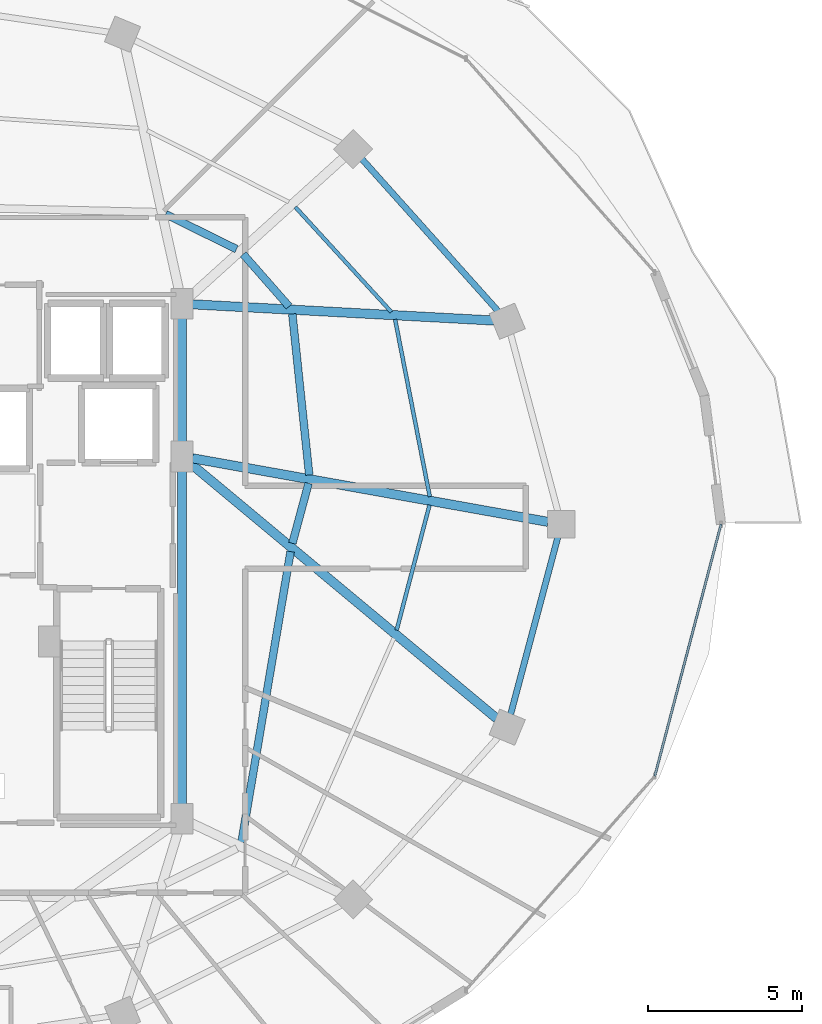
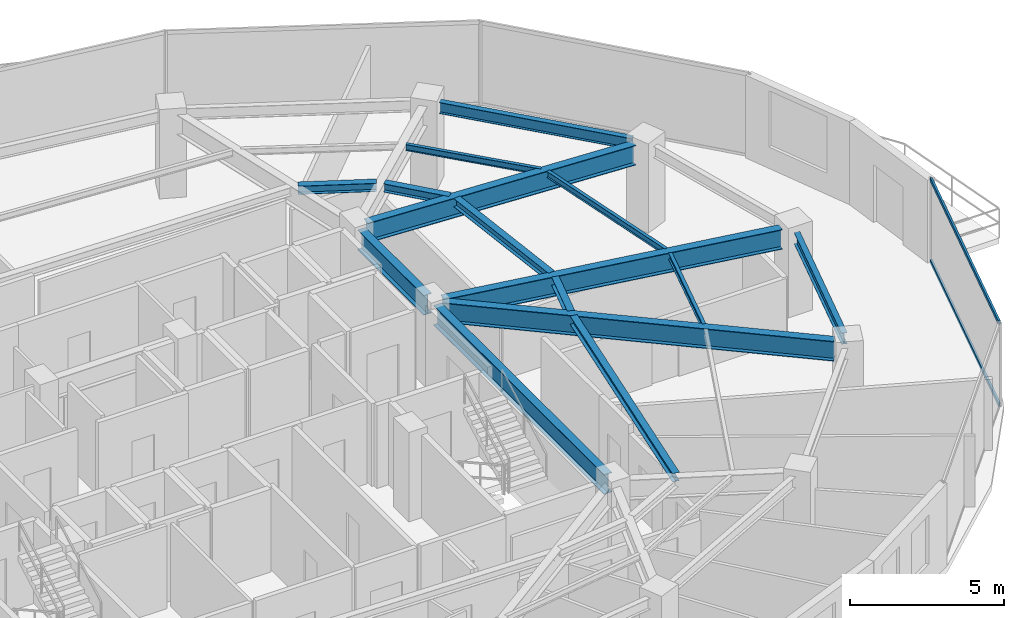
# One storey, part 14 of 33: 15 beams, 2 members, 1 element without a shape of its own.
"""IFC4 building model written with IfcOpenShell, lengths in metres."""

from ifc_helpers import new_model, si_unit, direction, frame, origin, origin_2d, place, context, subcontext, project, spatial, hollow_rectangle, i_section, extrude, material, material_profile, profile_set, type_object, element, aggregate, save


model = new_model("IFC4")

# Units and contexts
model_context = context("Model", 3, precision=1e-05, world=origin(), true_north=direction((0.0, 1.0)))
body_context = subcontext(model_context, "Body", "Model", "MODEL_VIEW")
ifc_project = project(units=[si_unit("LENGTHUNIT", "METRE"), si_unit("AREAUNIT", "SQUARE_METRE"), si_unit("VOLUMEUNIT", "CUBIC_METRE"), si_unit("PLANEANGLEUNIT", "RADIAN"), si_unit("MASSUNIT", "GRAM", prefix="KILO")], contexts=[model_context])

# Site, building, storey
site_placement = place(None, origin())
site = spatial("IfcSite", under=ifc_project, at=site_placement, CompositionType="ELEMENT")
building_placement = place(site_placement, origin())
building = spatial("IfcBuilding", under=site, at=building_placement, Name="Vorneva Point Tower", CompositionType="ELEMENT")
storey_placement = place(building_placement, frame((0.0, 0.0, 203.64990234375)))
storey = spatial("IfcBuildingStorey", under=building, at=storey_placement, Name="L55", CompositionType="ELEMENT", Elevation=203.64990234375)

# Beams
ifc_material_1 = material(Name="Steel S355", Category="steel")
ifc_material_profile_1 = material_profile(ifc_material_1, i_section(OverallWidth=0.300048828125, OverallDepth=0.7880859375, WebThickness=0.014404296875, FlangeThickness=0.02197265625, at=origin_2d()), Name="80Sh1")
ifc_profile_set_1 = profile_set([ifc_material_profile_1], Name="Steel S355")
beam_type_1 = type_object("IfcBeamType", Name="BM-GRD-80Sh1", PredefinedType="USERDEFINED", material=ifc_profile_set_1)
beam_1_placement = place(storey_placement, frame((60.618896484375, 26.0771484375, 2.89599609375), z_axis=(-0.984378602255, 0.176064668298, 0.0), x_axis=(-0.176064668298, -0.984378602255, 0.0)))
element("IfcBeam", 1, at=beam_1_placement, inside=storey, type_object=beam_type_1, Name="L55 Radial Primary Girder 01", ObjectType="GIRDER", PredefinedType="USERDEFINED", context=body_context, shape_type="SweptSolid", body=[
    extrude(i_section(OverallWidth=0.300048828125, OverallDepth=0.7880859375, WebThickness=0.014404296875, FlangeThickness=0.02197265625, at=origin_2d()), origin(), (0.0, 0.0, 1.0), 11.71728515625),
])
beam_2_placement = place(storey_placement, frame((58.85791015625, 32.605712890625, 2.89599609375), z_axis=(-0.998554028182, 0.053757351146, 0.0), x_axis=(-0.053757351146, -0.998554028182, 0.0)))
element("IfcBeam", 2, at=beam_2_placement, inside=storey, type_object=beam_type_1, Name="L55 Radial Primary Girder 02", ObjectType="GIRDER", PredefinedType="USERDEFINED", context=body_context, shape_type="SweptSolid", body=[
    extrude(i_section(OverallWidth=0.300048828125, OverallDepth=0.7880859375, WebThickness=0.014404296875, FlangeThickness=0.02197265625, at=origin_2d()), origin(), (0.0, 0.0, 1.0), 9.782470703125),
])
beam_3_placement = place(storey_placement, frame((58.958740234375, 19.697998046875, 2.89599609375), z_axis=(-0.768417564517, 0.639948784311, 0.0), x_axis=(-0.639948784311, -0.768417564517, 0.0)))
element("IfcBeam", 3, at=beam_3_placement, inside=storey, type_object=beam_type_1, Name="L55 Radial Primary Girder 16", ObjectType="GIRDER", PredefinedType="USERDEFINED", context=body_context, shape_type="SweptSolid", body=[
    extrude(i_section(OverallWidth=0.300048828125, OverallDepth=0.7880859375, WebThickness=0.014404296875, FlangeThickness=0.02197265625, at=origin_2d()), origin(), (0.0, 0.0, 1.0), 12.945556640625),
])
beam_4_placement = place(storey_placement, frame((48.75, 16.77001953125, 2.89599609375), z_axis=(0.0, 1.0, 0.0), x_axis=(-1.0, 0.0, 0.0)))
element("IfcBeam", 4, at=beam_4_placement, inside=storey, type_object=beam_type_1, Name="L55 Core Tie Girder CT3", ObjectType="GIRDER", PredefinedType="USERDEFINED", context=body_context, shape_type="SweptSolid", body=[
    extrude(i_section(OverallWidth=0.300048828125, OverallDepth=0.7880859375, WebThickness=0.014404296875, FlangeThickness=0.02197265625, at=origin_2d()), origin(), (0.0, 0.0, 1.0), 11.10986328125),
])
beam_5_placement = place(storey_placement, frame((48.75, 28.52001953125, 2.89599609375), z_axis=(0.0, 1.0, 0.0), x_axis=(-1.0, 0.0, 0.0)))
element("IfcBeam", 5, at=beam_5_placement, inside=storey, type_object=beam_type_1, Name="L55 Core Tie Girder CT4", ObjectType="GIRDER", PredefinedType="USERDEFINED", context=body_context, shape_type="SweptSolid", body=[
    extrude(i_section(OverallWidth=0.300048828125, OverallDepth=0.7880859375, WebThickness=0.014404296875, FlangeThickness=0.02197265625, at=origin_2d()), origin(), (0.0, 0.0, 1.0), 4.31005859375),
])
ifc_material_profile_2 = material_profile(ifc_material_1, i_section(OverallWidth=0.1240234375, OverallDepth=0.248046875, WebThickness=0.0048828125, FlangeThickness=0.008056640625, at=origin_2d()), Name="25B1")
ifc_profile_set_2 = profile_set([ifc_material_profile_2], Name="Steel S355")
beam_type_2 = type_object("IfcBeamType", Name="BM-JST-25B1", PredefinedType="JOIST", material=ifc_profile_set_2)
beam_6_placement = place(storey_placement, frame((56.785888671875, 26.893310546875, 3.166015625), z_axis=(-0.191995903464, 0.98139572704, 0.0), x_axis=(-0.98139572704, -0.191995903464, 0.0)))
element("IfcBeam", 6, at=beam_6_placement, inside=storey, type_object=beam_type_2, Name="L55 Secondary Floor Beam 1.01", PredefinedType="JOIST", context=body_context, shape_type="SweptSolid", body=[
    extrude(i_section(OverallWidth=0.1240234375, OverallDepth=0.248046875, WebThickness=0.0048828125, FlangeThickness=0.008056640625, at=origin_2d()), origin(), (0.0, 0.0, 1.0), 5.859619140625),
])
beam_7_placement = place(storey_placement, frame((55.541259765625, 32.881103515625, 3.166015625), z_axis=(-0.675087002203, 0.7377381239, 0.0), x_axis=(-0.7377381239, -0.675087002203, 0.0)))
element("IfcBeam", 7, at=beam_7_placement, inside=storey, type_object=beam_type_2, Name="L55 Secondary Floor Beam 1.02", PredefinedType="JOIST", context=body_context, shape_type="SweptSolid", body=[
    extrude(i_section(OverallWidth=0.1240234375, OverallDepth=0.248046875, WebThickness=0.0048828125, FlangeThickness=0.008056640625, at=origin_2d()), origin(), (0.0, 0.0, 1.0), 4.61376953125),
])
beam_8_placement = place(storey_placement, frame((55.711181640625, 22.5654296875, 3.166015625), z_axis=(0.254098126007, 0.967178443908, 0.0), x_axis=(-0.967178443908, 0.254098126007, 0.0)))
element("IfcBeam", 8, at=beam_8_placement, inside=storey, type_object=beam_type_2, Name="L55 Secondary Floor Beam 1.16", PredefinedType="JOIST", context=body_context, shape_type="SweptSolid", body=[
    extrude(i_section(OverallWidth=0.1240234375, OverallDepth=0.248046875, WebThickness=0.0048828125, FlangeThickness=0.008056640625, at=origin_2d()), origin(), (0.0, 0.0, 1.0), 4.19677734375),
])
ifc_material_profile_3 = material_profile(ifc_material_1, i_section(OverallWidth=0.2490234375, OverallDepth=0.333984375, WebThickness=0.008056640625, FlangeThickness=0.010986328125, at=origin_2d()), Name="35Sh1")
ifc_profile_set_3 = profile_set([ifc_material_profile_3], Name="Steel S355")
beam_type_3 = type_object("IfcBeamType", Name="BM-SEC-35Sh1", PredefinedType="BEAM", material=ifc_profile_set_3)
beam_9_placement = place(storey_placement, frame((52.87646484375, 27.5966796875, 3.123046875), z_axis=(-0.104527524284, 0.994521994059, 0.0), x_axis=(-0.994521994059, -0.104527524284, 0.0)))
element("IfcBeam", 9, at=beam_9_placement, inside=storey, type_object=beam_type_3, Name="L55 Secondary Floor Beam 2.01", PredefinedType="BEAM", context=body_context, shape_type="SweptSolid", body=[
    extrude(i_section(OverallWidth=0.2490234375, OverallDepth=0.333984375, WebThickness=0.008056640625, FlangeThickness=0.010986328125, at=origin_2d()), origin(), (0.0, 0.0, 1.0), 5.2529296875),
])
beam_10_placement = place(storey_placement, frame((52.221923828125, 33.061767578125, 3.123046875), z_axis=(-0.659883178199, 0.751368212749, 0.0), x_axis=(-0.751368212749, -0.659883178199, 0.0)))
element("IfcBeam", 10, at=beam_10_placement, inside=storey, type_object=beam_type_3, Name="L55 Secondary Floor Beam 2.02", PredefinedType="BEAM", context=body_context, shape_type="SweptSolid", body=[
    extrude(i_section(OverallWidth=0.2490234375, OverallDepth=0.333984375, WebThickness=0.008056640625, FlangeThickness=0.010986328125, at=origin_2d()), origin(), (0.0, 0.0, 1.0), 2.2548828125),
])
beam_11_placement = place(storey_placement, frame((50.51904296875, 34.9208984375, 3.123046875), z_axis=(-0.896926742139, 0.442179170965, 0.0), x_axis=(-0.442179170965, -0.896926742139, 0.0)))
element("IfcBeam", 11, at=beam_11_placement, inside=storey, type_object=beam_type_3, Name="L55 Secondary Floor Beam 2.03", PredefinedType="BEAM", context=body_context, shape_type="SweptSolid", body=[
    extrude(i_section(OverallWidth=0.2490234375, OverallDepth=0.333984375, WebThickness=0.008056640625, FlangeThickness=0.010986328125, at=origin_2d()), origin(), (0.0, 0.0, 1.0), 2.564208984375),
])
beam_12_placement = place(storey_placement, frame((50.679443359375, 15.688720703125, 3.123046875), z_axis=(0.166527814046, 0.986036757504, 0.0), x_axis=(-0.986036757504, 0.166527814046, 0.0)))
element("IfcBeam", 12, at=beam_12_placement, inside=storey, type_object=beam_type_3, Name="L55 Secondary Floor Beam 2.15", PredefinedType="BEAM", context=body_context, shape_type="SweptSolid", body=[
    extrude(i_section(OverallWidth=0.2490234375, OverallDepth=0.333984375, WebThickness=0.008056640625, FlangeThickness=0.010986328125, at=origin_2d()), origin(), (0.0, 0.0, 1.0), 9.557373046875),
])
beam_13_placement = place(storey_placement, frame((52.330078125, 25.3818359375, 3.123046875), z_axis=(0.260634215409, 0.96543762396, 0.0), x_axis=(-0.96543762396, 0.260634215409, 0.0)))
element("IfcBeam", 13, at=beam_13_placement, inside=storey, type_object=beam_type_3, Name="L55 Secondary Floor Beam 2.16", PredefinedType="BEAM", context=body_context, shape_type="SweptSolid", body=[
    extrude(i_section(OverallWidth=0.2490234375, OverallDepth=0.333984375, WebThickness=0.008056640625, FlangeThickness=0.010986328125, at=origin_2d()), origin(), (0.0, 0.0, 1.0), 2.013916015625),
])
ifc_material_profile_4 = material_profile(ifc_material_1, i_section(OverallWidth=0.198974609375, OverallDepth=0.446044921875, WebThickness=0.008056640625, FlangeThickness=0.011962890625, at=origin_2d()), Name="45B1")
ifc_profile_set_4 = profile_set([ifc_material_profile_4], Name="Steel S355")
beam_type_4 = type_object("IfcBeamType", Name="BM-SPN-45B1", PredefinedType="SPANDREL", material=ifc_profile_set_4)
beam_14_placement = place(storey_placement, frame((59.005126953125, 32.90625, 3.067138671875), z_axis=(-0.66706970547, 0.744995307397, 0.0), x_axis=(-0.744995307397, -0.66706970547, 0.0)))
element("IfcBeam", 14, at=beam_14_placement, inside=storey, type_object=beam_type_4, Name="L55 Perimeter Spandrel Ring Beam 02", PredefinedType="SPANDREL", context=body_context, shape_type="SweptSolid", body=[
    extrude(i_section(OverallWidth=0.198974609375, OverallDepth=0.446044921875, WebThickness=0.008056640625, FlangeThickness=0.011962890625, at=origin_2d()), origin(), (0.0, 0.0, 1.0), 6.6201171875),
])
beam_15_placement = place(storey_placement, frame((59.407470703125, 19.838134765625, 3.067138671875), z_axis=(0.257578258003, 0.966257440336, 0.0), x_axis=(-0.966257440336, 0.257578258003, 0.0)))
element("IfcBeam", 15, at=beam_15_placement, inside=storey, type_object=beam_type_4, Name="L55 Perimeter Spandrel Ring Beam 16", PredefinedType="SPANDREL", context=body_context, shape_type="SweptSolid", body=[
    extrude(i_section(OverallWidth=0.198974609375, OverallDepth=0.446044921875, WebThickness=0.008056640625, FlangeThickness=0.011962890625, at=origin_2d()), origin(), (0.0, 0.0, 1.0), 5.94189453125),
])

# Curtain wall, members
ifc_material_2 = material(Name="Pale anodised aluminium", Category="aluminium")
curtain_wall_type = type_object("IfcCurtainWallType", Name="CW-RES-SYS", PredefinedType="NOTDEFINED", material=ifc_material_2)
curtain_wall_placement = place(storey_placement, origin())
curtain_wall = element("IfcCurtainWall", 16, at=curtain_wall_placement, inside=storey, type_object=curtain_wall_type, Name="L55 Unitised Curtain Wall CW-L55-R04", PredefinedType="NOTDEFINED")
ifc_material_profile_5 = material_profile(ifc_material_2, hollow_rectangle(XDim=0.074951171875, YDim=0.14990234375, WallThickness=0.00390625, at=origin_2d()), Name="AL-TRN 150x75x4")
ifc_profile_set_5 = profile_set([ifc_material_profile_5], Name="Pale anodised aluminium")
member_type = type_object("IfcMemberType", Name="CW-TRN-150", PredefinedType="USERDEFINED", material=ifc_profile_set_5)
member_1_placement = place(storey_placement, frame((64.0810546875, 17.82958984375, 0.02001953125), z_axis=(0.254362431281, 0.967108966742, 0.0), x_axis=(-0.967108966742, 0.254362431281, 0.0)))
member_1 = element("IfcMember", 17, at=member_1_placement, type_object=member_type, Name="CW-L55-R04 Transom 02.1", ObjectType="TRANSOM", PredefinedType="USERDEFINED", context=body_context, shape_type="SweptSolid", body=[
    extrude(hollow_rectangle(XDim=0.074951171875, YDim=0.14990234375, WallThickness=0.00390625, at=origin_2d()), origin(), (0.0, 0.0, 1.0), 8.4482421875),
])
member_2_placement = place(storey_placement, frame((64.0810546875, 17.82958984375, 3.27001953125), z_axis=(0.254362431281, 0.967108966742, 0.0), x_axis=(-0.967108966742, 0.254362431281, 0.0)))
member_2 = element("IfcMember", 18, at=member_2_placement, type_object=member_type, Name="CW-L55-R04 Transom 02.2", ObjectType="TRANSOM", PredefinedType="USERDEFINED", context=body_context, shape_type="SweptSolid", body=[
    extrude(hollow_rectangle(XDim=0.074951171875, YDim=0.14990234375, WallThickness=0.00390625, at=origin_2d()), origin(), (0.0, 0.0, 1.0), 8.4482421875),
])
aggregate(curtain_wall, [member_1, member_2])

save(model, "model.ifc")
